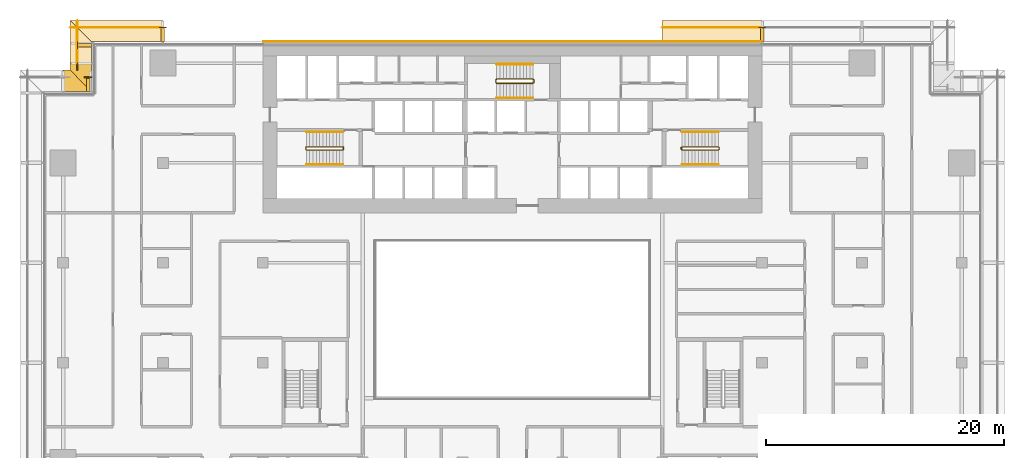
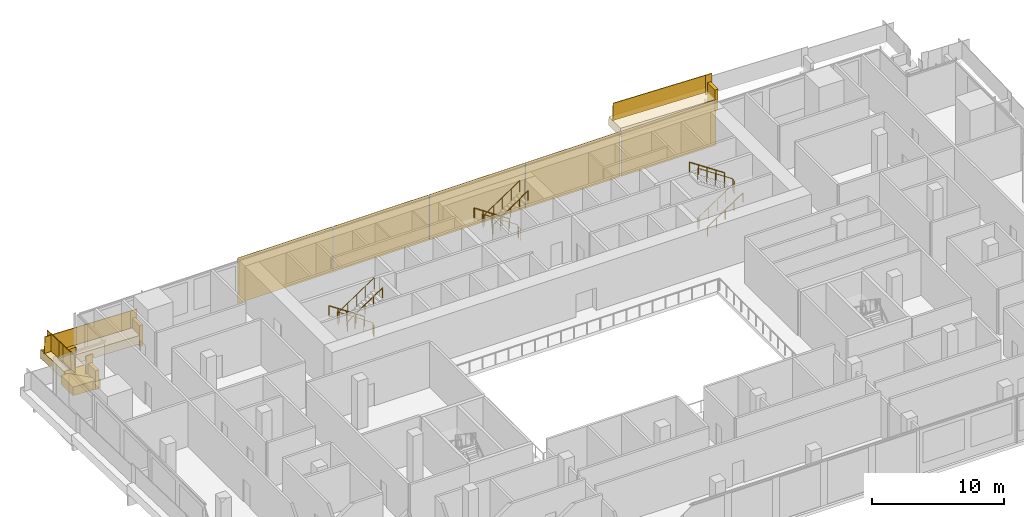
# One storey, part 22 of 23: 17 railings, 14 coverings.
"""IFC4 building model written with IfcOpenShell, lengths in metres."""

from ifc_helpers import new_model, si_unit, direction, frame, origin, origin_2d, place, context, subcontext, project, spatial, polyline, rectangle, circle, outline, extrude, material, layer, layer_set, type_object, element, save


model = new_model("IFC4")

# Units and contexts
model_context = context("Model", 3, precision=1e-05, world=origin(), true_north=direction((0.0, 1.0)))
body_context = subcontext(model_context, "Body", "Model", "MODEL_VIEW")
ifc_project = project(units=[si_unit("LENGTHUNIT", "METRE"), si_unit("AREAUNIT", "SQUARE_METRE"), si_unit("VOLUMEUNIT", "CUBIC_METRE"), si_unit("PLANEANGLEUNIT", "RADIAN"), si_unit("MASSUNIT", "GRAM", prefix="KILO")], contexts=[model_context])

# Site, building, storey
site_placement = place(None, origin())
site = spatial("IfcSite", under=ifc_project, at=site_placement, CompositionType="ELEMENT")
building_placement = place(site_placement, origin())
building = spatial("IfcBuilding", under=site, at=building_placement, Name="Saffron Gate Tower", CompositionType="ELEMENT")
storey_placement = place(building_placement, frame((0.0, 0.0, 23.699951171875)))
storey = spatial("IfcBuildingStorey", under=building, at=storey_placement, Name="L04", CompositionType="ELEMENT", Elevation=23.699951171875)

# Coverings
ifc_material_1 = material(Name="Ceramic-printed bronze insulated panel")
ifc_layer_1 = layer(ifc_material_1, 0.0400390625)
ifc_layer_set_1 = layer_set([ifc_layer_1], Name="CLD1 ceramic-printed cladding panel 40")
covering_type_1 = type_object("IfcCoveringType", Name="CLD1 ceramic-printed cladding panel 40", PredefinedType="CLADDING", material=ifc_layer_set_1)
covering_1_placement = place(storey_placement, origin())
element("IfcCovering", 1, at=covering_1_placement, inside=storey, type_object=covering_type_1, Name="CLADDING ceramic-printed panel", PredefinedType="CLADDING", context=body_context, shape_type="SweptSolid", body=[
    extrude(outline(polyline([(108.56005859375, 75.639892578125), (100.239990234375, 75.639892578125), (100.239990234375, 75.60009765625), (108.56005859375, 75.60009765625), (108.56005859375, 75.639892578125)])), origin(), (0.0, 0.0, 1.0), 4.199951171875),
])
covering_2_placement = place(storey_placement, origin())
element("IfcCovering", 2, at=covering_2_placement, inside=storey, type_object=covering_type_1, Name="CLADDING ceramic-printed panel", PredefinedType="CLADDING", context=body_context, shape_type="SweptSolid", body=[
    extrude(outline(polyline([(100.159912109375, 75.639892578125), (91.840087890625, 75.639892578125), (91.840087890625, 75.60009765625), (100.159912109375, 75.60009765625), (100.159912109375, 75.639892578125)])), origin(), (0.0, 0.0, 1.0), 4.199951171875),
])
covering_3_placement = place(storey_placement, origin())
element("IfcCovering", 3, at=covering_3_placement, inside=storey, type_object=covering_type_1, Name="CLADDING ceramic-printed panel", PredefinedType="CLADDING", context=body_context, shape_type="SweptSolid", body=[
    extrude(outline(polyline([(91.760009765625, 75.639892578125), (83.43994140625, 75.639892578125), (83.43994140625, 75.60009765625), (91.760009765625, 75.60009765625), (91.760009765625, 75.639892578125)])), origin(), (0.0, 0.0, 1.0), 4.199951171875),
])
covering_4_placement = place(storey_placement, origin())
element("IfcCovering", 4, at=covering_4_placement, inside=storey, type_object=covering_type_1, Name="CLADDING ceramic-printed panel", PredefinedType="CLADDING", context=body_context, shape_type="SweptSolid", body=[
    extrude(outline(polyline([(83.360107421875, 75.639892578125), (75.0400390625, 75.639892578125), (75.0400390625, 75.60009765625), (83.360107421875, 75.60009765625), (83.360107421875, 75.639892578125)])), origin(), (0.0, 0.0, 1.0), 4.199951171875),
])
covering_5_placement = place(storey_placement, origin())
element("IfcCovering", 5, at=covering_5_placement, inside=storey, type_object=covering_type_1, Name="CLADDING ceramic-printed panel", PredefinedType="CLADDING", context=body_context, shape_type="SweptSolid", body=[
    extrude(outline(polyline([(74.9599609375, 75.639892578125), (66.639892578125, 75.639892578125), (66.639892578125, 75.60009765625), (74.9599609375, 75.60009765625), (74.9599609375, 75.639892578125)])), origin(), (0.0, 0.0, 1.0), 4.199951171875),
])

# Railings
ifc_material_2 = material(Name="Stainless steel and laminated glass", Category="steel")
railing_type_1 = type_object("IfcRailingType", Name="CR1 Stair guard 1100", PredefinedType="GUARDRAIL", material=ifc_material_2)
railing_1_placement = place(storey_placement, frame((73.39990234375, 66.550048828125, 0.0)))
element("IfcRailing", 6, at=railing_1_placement, inside=storey, type_object=railing_type_1, Name="L04 ST-A stair guard 1", PredefinedType="GUARDRAIL", context=body_context, shape_type="SweptSolid", body=[
    extrude(circle(Radius=0.02392578125, at=origin_2d()), frame((0.0, 0.0, 1.076171875), z_axis=(0.0, 1.0, 0.0), x_axis=(-1.0, 0.0, 0.0)), (0.0, 0.0, 1.0), 0.14990234375),
    extrude(circle(Radius=0.02392578125, at=origin_2d()), frame((0.0, 0.14990234375, 1.076171875), z_axis=(-0.248583702486, 0.249802250048, 0.935844527007), x_axis=(-0.708833529934, -0.705375805398, 0.0)), (0.0, 0.0, 1.0), 0.200439453125),
    extrude(circle(Radius=0.02392578125, at=origin_2d()), frame((-0.0498046875, 0.199951171875, 1.263671875), z_axis=(-0.830913701846, 0.0, 0.55640131208), x_axis=(0.0, -1.0, 0.0)), (0.0, 0.0, 1.0), 3.706787109375),
    extrude(circle(Radius=0.02392578125, at=origin_2d()), frame((-3.1298828125, 0.199951171875, 3.326171875), z_axis=(-0.707106781187, -0.707106781187, 0.0), x_axis=(0.707106781187, -0.707106781187, 0.0)), (0.0, 0.0, 1.0), 0.07080078125),
    extrude(circle(Radius=0.02392578125, at=origin_2d()), frame((-3.179931640625, 0.14990234375, 3.326171875), z_axis=(0.0, -1.0, 0.0), x_axis=(1.0, 0.0, 0.0)), (0.0, 0.0, 1.0), 0.14990234375),
    extrude(circle(Radius=0.02392578125, at=origin_2d()), frame((-3.179931640625, 0.0, 3.326171875), z_axis=(0.249726431254, -0.249726431254, 0.935560483917), x_axis=(0.707106781187, 0.707106781187, 0.0)), (0.0, 0.0, 1.0), 0.200439453125),
    extrude(circle(Radius=0.02392578125, at=origin_2d()), frame((-3.1298828125, -0.050048828125, 3.513671875), z_axis=(0.830913701846, 0.0, 0.55640131208), x_axis=(0.0, 1.0, 0.0)), (0.0, 0.0, 1.0), 3.706787109375),
    extrude(circle(Radius=0.02099609375, at=origin_2d()), origin(), (0.0, 0.0, 1.0), 1.052001953125),
    extrude(circle(Radius=0.02099609375, at=origin_2d()), frame((0.0, 0.14990234375, 0.0)), (0.0, 0.0, 1.0), 1.052001953125),
    extrude(circle(Radius=0.02099609375, at=origin_2d()), frame((-0.0498046875, 0.199951171875, 0.1875)), (0.0, 0.0, 1.0), 1.052001953125),
    extrude(circle(Radius=0.02099609375, at=origin_2d()), frame((-0.81982421875, 0.199951171875, 0.703125)), (0.0, 0.0, 1.0), 1.052001953125),
    extrude(circle(Radius=0.02099609375, at=origin_2d()), frame((-1.58984375, 0.199951171875, 1.21875)), (0.0, 0.0, 1.0), 1.052001953125),
    extrude(circle(Radius=0.02099609375, at=origin_2d()), frame((-2.35986328125, 0.199951171875, 1.734375)), (0.0, 0.0, 1.0), 1.052001953125),
    extrude(circle(Radius=0.02099609375, at=origin_2d()), frame((-3.1298828125, 0.199951171875, 2.25)), (0.0, 0.0, 1.0), 1.052001953125),
    extrude(circle(Radius=0.02099609375, at=origin_2d()), frame((-3.179931640625, 0.14990234375, 2.25)), (0.0, 0.0, 1.0), 1.052001953125),
    extrude(circle(Radius=0.02099609375, at=origin_2d()), frame((-3.179931640625, 0.0, 2.25)), (0.0, 0.0, 1.0), 1.052001953125),
    extrude(circle(Radius=0.02099609375, at=origin_2d()), frame((-3.1298828125, -0.050048828125, 2.4375)), (0.0, 0.0, 1.0), 1.052001953125),
    extrude(circle(Radius=0.02099609375, at=origin_2d()), frame((-2.35986328125, -0.050048828125, 2.953125)), (0.0, 0.0, 1.0), 1.052001953125),
    extrude(circle(Radius=0.02099609375, at=origin_2d()), frame((-1.58984375, -0.050048828125, 3.46875)), (0.0, 0.0, 1.0), 1.052001953125),
    extrude(circle(Radius=0.02099609375, at=origin_2d()), frame((-0.81982421875, -0.050048828125, 3.984375)), (0.0, 0.0, 1.0), 1.052001953125),
    extrude(circle(Radius=0.02099609375, at=origin_2d()), frame((-0.0498046875, -0.050048828125, 4.5)), (0.0, 0.0, 1.0), 1.052001953125),
])
railing_2_placement = place(storey_placement, frame((101.800048828125, 66.699951171875, 0.0)))
element("IfcRailing", 7, at=railing_2_placement, inside=storey, type_object=railing_type_1, Name="L04 ST-B stair guard 1", PredefinedType="GUARDRAIL", context=body_context, shape_type="SweptSolid", body=[
    extrude(circle(Radius=0.02392578125, at=origin_2d()), frame((0.0, 0.0, 1.076171875), z_axis=(0.0, -1.0, 0.0), x_axis=(1.0, 0.0, 0.0)), (0.0, 0.0, 1.0), 0.14990234375),
    extrude(circle(Radius=0.02392578125, at=origin_2d()), frame((0.0, -0.14990234375, 1.076171875), z_axis=(0.249726431254, -0.249726431254, 0.935560483917), x_axis=(0.707106781187, 0.707106781187, 0.0)), (0.0, 0.0, 1.0), 0.200439453125),
    extrude(circle(Radius=0.02392578125, at=origin_2d()), frame((0.050048828125, -0.199951171875, 1.263671875), z_axis=(0.830893310487, 0.0, 0.556431762742), x_axis=(0.0, 1.0, 0.0)), (0.0, 0.0, 1.0), 3.70654296875),
    extrude(circle(Radius=0.02392578125, at=origin_2d()), frame((3.1298828125, -0.199951171875, 3.326171875), z_axis=(0.707106781187, 0.707106781187, 0.0), x_axis=(-0.707106781187, 0.707106781187, 0.0)), (0.0, 0.0, 1.0), 0.07080078125),
    extrude(circle(Radius=0.02392578125, at=origin_2d()), frame((3.179931640625, -0.14990234375, 3.326171875), z_axis=(0.0, 1.0, 0.0), x_axis=(-1.0, 0.0, 0.0)), (0.0, 0.0, 1.0), 0.14990234375),
    extrude(circle(Radius=0.02392578125, at=origin_2d()), frame((3.179931640625, 0.0, 3.326171875), z_axis=(-0.249726431254, 0.249726431254, 0.935560483917), x_axis=(-0.707106781187, -0.707106781187, 0.0)), (0.0, 0.0, 1.0), 0.200439453125),
    extrude(circle(Radius=0.02392578125, at=origin_2d()), frame((3.1298828125, 0.050048828125, 3.513671875), z_axis=(-0.830893310487, 0.0, 0.556431762742), x_axis=(0.0, -1.0, 0.0)), (0.0, 0.0, 1.0), 3.70654296875),
    extrude(circle(Radius=0.02099609375, at=origin_2d()), origin(), (0.0, 0.0, 1.0), 1.052001953125),
    extrude(circle(Radius=0.02099609375, at=origin_2d()), frame((0.0, -0.14990234375, 0.0)), (0.0, 0.0, 1.0), 1.052001953125),
    extrude(circle(Radius=0.02099609375, at=origin_2d()), frame((0.050048828125, -0.199951171875, 0.1875)), (0.0, 0.0, 1.0), 1.052001953125),
    extrude(circle(Radius=0.02099609375, at=origin_2d()), frame((0.820068359375, -0.199951171875, 0.703125)), (0.0, 0.0, 1.0), 1.052001953125),
    extrude(circle(Radius=0.02099609375, at=origin_2d()), frame((1.58984375, -0.199951171875, 1.21875)), (0.0, 0.0, 1.0), 1.052001953125),
    extrude(circle(Radius=0.02099609375, at=origin_2d()), frame((2.35986328125, -0.199951171875, 1.734375)), (0.0, 0.0, 1.0), 1.052001953125),
    extrude(circle(Radius=0.02099609375, at=origin_2d()), frame((3.1298828125, -0.199951171875, 2.25)), (0.0, 0.0, 1.0), 1.052001953125),
    extrude(circle(Radius=0.02099609375, at=origin_2d()), frame((3.179931640625, -0.14990234375, 2.25)), (0.0, 0.0, 1.0), 1.052001953125),
    extrude(circle(Radius=0.02099609375, at=origin_2d()), frame((3.179931640625, 0.0, 2.25)), (0.0, 0.0, 1.0), 1.052001953125),
    extrude(circle(Radius=0.02099609375, at=origin_2d()), frame((3.1298828125, 0.050048828125, 2.4375)), (0.0, 0.0, 1.0), 1.052001953125),
    extrude(circle(Radius=0.02099609375, at=origin_2d()), frame((2.35986328125, 0.050048828125, 2.953125)), (0.0, 0.0, 1.0), 1.052001953125),
    extrude(circle(Radius=0.02099609375, at=origin_2d()), frame((1.58984375, 0.050048828125, 3.46875)), (0.0, 0.0, 1.0), 1.052001953125),
    extrude(circle(Radius=0.02099609375, at=origin_2d()), frame((0.820068359375, 0.050048828125, 3.984375)), (0.0, 0.0, 1.0), 1.052001953125),
    extrude(circle(Radius=0.02099609375, at=origin_2d()), frame((0.050048828125, 0.050048828125, 4.5)), (0.0, 0.0, 1.0), 1.052001953125),
])
railing_3_placement = place(storey_placement, frame((89.39990234375, 72.14990234375, 0.0)))
element("IfcRailing", 8, at=railing_3_placement, inside=storey, type_object=railing_type_1, Name="L04 ST-C stair guard 1", PredefinedType="GUARDRAIL", context=body_context, shape_type="SweptSolid", body=[
    extrude(circle(Radius=0.02392578125, at=origin_2d()), frame((0.0, 0.0, 1.076171875), z_axis=(0.0, 1.0, 0.0), x_axis=(-1.0, 0.0, 0.0)), (0.0, 0.0, 1.0), 0.25),
    extrude(circle(Radius=0.02392578125, at=origin_2d()), frame((0.0, 0.25, 1.076171875), z_axis=(-0.248583702486, 0.249802250048, 0.935844527007), x_axis=(-0.708833529934, -0.705375805398, 0.0)), (0.0, 0.0, 1.0), 0.200439453125),
    extrude(circle(Radius=0.02392578125, at=origin_2d()), frame((-0.0498046875, 0.300048828125, 1.263671875), z_axis=(-0.830913701846, 0.0, 0.55640131208), x_axis=(0.0, -1.0, 0.0)), (0.0, 0.0, 1.0), 3.706787109375),
    extrude(circle(Radius=0.02392578125, at=origin_2d()), frame((-3.1298828125, 0.300048828125, 3.326171875), z_axis=(-0.707106781187, -0.707106781187, 0.0), x_axis=(0.707106781187, -0.707106781187, 0.0)), (0.0, 0.0, 1.0), 0.07080078125),
    extrude(circle(Radius=0.02392578125, at=origin_2d()), frame((-3.179931640625, 0.25, 3.326171875), z_axis=(0.0, -1.0, 0.0), x_axis=(1.0, 0.0, 0.0)), (0.0, 0.0, 1.0), 0.25),
    extrude(circle(Radius=0.02392578125, at=origin_2d()), frame((-3.179931640625, 0.0, 3.326171875), z_axis=(0.249802250048, -0.248583702486, 0.935844527007), x_axis=(0.705375805398, 0.708833529934, 0.0)), (0.0, 0.0, 1.0), 0.200439453125),
    extrude(circle(Radius=0.02392578125, at=origin_2d()), frame((-3.1298828125, -0.0498046875, 3.513671875), z_axis=(0.830913701846, 0.0, 0.55640131208), x_axis=(0.0, 1.0, 0.0)), (0.0, 0.0, 1.0), 3.706787109375),
    extrude(circle(Radius=0.02099609375, at=origin_2d()), origin(), (0.0, 0.0, 1.0), 1.052001953125),
    extrude(circle(Radius=0.02099609375, at=origin_2d()), frame((0.0, 0.25, 0.0)), (0.0, 0.0, 1.0), 1.052001953125),
    extrude(circle(Radius=0.02099609375, at=origin_2d()), frame((-0.0498046875, 0.300048828125, 0.1875)), (0.0, 0.0, 1.0), 1.052001953125),
    extrude(circle(Radius=0.02099609375, at=origin_2d()), frame((-0.81982421875, 0.300048828125, 0.703125)), (0.0, 0.0, 1.0), 1.052001953125),
    extrude(circle(Radius=0.02099609375, at=origin_2d()), frame((-1.58984375, 0.300048828125, 1.21875)), (0.0, 0.0, 1.0), 1.052001953125),
    extrude(circle(Radius=0.02099609375, at=origin_2d()), frame((-2.35986328125, 0.300048828125, 1.734375)), (0.0, 0.0, 1.0), 1.052001953125),
    extrude(circle(Radius=0.02099609375, at=origin_2d()), frame((-3.1298828125, 0.300048828125, 2.25)), (0.0, 0.0, 1.0), 1.052001953125),
    extrude(circle(Radius=0.02099609375, at=origin_2d()), frame((-3.179931640625, 0.25, 2.25)), (0.0, 0.0, 1.0), 1.052001953125),
    extrude(circle(Radius=0.02099609375, at=origin_2d()), frame((-3.179931640625, 0.0, 2.25)), (0.0, 0.0, 1.0), 1.052001953125),
    extrude(circle(Radius=0.02099609375, at=origin_2d()), frame((-3.1298828125, -0.0498046875, 2.4375)), (0.0, 0.0, 1.0), 1.052001953125),
    extrude(circle(Radius=0.02099609375, at=origin_2d()), frame((-2.35986328125, -0.0498046875, 2.953125)), (0.0, 0.0, 1.0), 1.052001953125),
    extrude(circle(Radius=0.02099609375, at=origin_2d()), frame((-1.58984375, -0.0498046875, 3.46875)), (0.0, 0.0, 1.0), 1.052001953125),
    extrude(circle(Radius=0.02099609375, at=origin_2d()), frame((-0.81982421875, -0.0498046875, 3.984375)), (0.0, 0.0, 1.0), 1.052001953125),
    extrude(circle(Radius=0.02099609375, at=origin_2d()), frame((-0.0498046875, -0.0498046875, 4.5)), (0.0, 0.0, 1.0), 1.052001953125),
])
ifc_material_3 = material(Name="Stainless steel", Category="steel")
railing_type_2 = type_object("IfcRailingType", Name="CR2 Stair handrail 900", PredefinedType="HANDRAIL", material=ifc_material_3)
railing_4_placement = place(storey_placement, frame((73.35009765625, 68.0, 0.1875)))
element("IfcRailing", 9, at=railing_4_placement, inside=storey, type_object=railing_type_2, Name="L04 ST-A stair handrail 1", PredefinedType="HANDRAIL", context=body_context, shape_type="SweptSolid", body=[
    extrude(circle(Radius=0.02392578125, at=origin_2d()), frame((0.0, 0.0, 0.8759765625), z_axis=(-0.830913701846, 0.0, 0.55640131208), x_axis=(0.0, -1.0, 0.0)), (0.0, 0.0, 1.0), 3.706787109375),
    extrude(circle(Radius=0.02099609375, at=origin_2d()), origin(), (0.0, 0.0, 1.0), 0.851806640625),
    extrude(circle(Radius=0.02099609375, at=origin_2d()), frame((-0.77001953125, 0.0, 0.515625)), (0.0, 0.0, 1.0), 0.851806640625),
    extrude(circle(Radius=0.02099609375, at=origin_2d()), frame((-1.5400390625, 0.0, 1.03125)), (0.0, 0.0, 1.0), 0.851806640625),
    extrude(circle(Radius=0.02099609375, at=origin_2d()), frame((-2.31005859375, 0.0, 1.546875)), (0.0, 0.0, 1.0), 0.851806640625),
    extrude(circle(Radius=0.02099609375, at=origin_2d()), frame((-3.080078125, 0.0, 2.0625)), (0.0, 0.0, 1.0), 0.851806640625),
])
railing_5_placement = place(storey_placement, frame((70.27001953125, 65.25, 2.4375)))
element("IfcRailing", 10, at=railing_5_placement, inside=storey, type_object=railing_type_2, Name="L04 ST-A stair handrail 2", PredefinedType="HANDRAIL", context=body_context, shape_type="SweptSolid", body=[
    extrude(circle(Radius=0.02392578125, at=origin_2d()), frame((0.0, 0.0, 0.8759765625), z_axis=(0.830913701846, 0.0, 0.55640131208), x_axis=(0.0, 1.0, 0.0)), (0.0, 0.0, 1.0), 3.706787109375),
    extrude(circle(Radius=0.02099609375, at=origin_2d()), origin(), (0.0, 0.0, 1.0), 0.851806640625),
    extrude(circle(Radius=0.02099609375, at=origin_2d()), frame((0.77001953125, 0.0, 0.515625)), (0.0, 0.0, 1.0), 0.851806640625),
    extrude(circle(Radius=0.02099609375, at=origin_2d()), frame((1.5400390625, 0.0, 1.03125)), (0.0, 0.0, 1.0), 0.851806640625),
    extrude(circle(Radius=0.02099609375, at=origin_2d()), frame((2.31005859375, 0.0, 1.546875)), (0.0, 0.0, 1.0), 0.851806640625),
    extrude(circle(Radius=0.02099609375, at=origin_2d()), frame((3.080078125, 0.0, 2.0625)), (0.0, 0.0, 1.0), 0.851806640625),
])
railing_6_placement = place(storey_placement, frame((101.85009765625, 65.25, 0.1875)))
element("IfcRailing", 11, at=railing_6_placement, inside=storey, type_object=railing_type_2, Name="L04 ST-B stair handrail 1", PredefinedType="HANDRAIL", context=body_context, shape_type="SweptSolid", body=[
    extrude(circle(Radius=0.02392578125, at=origin_2d()), frame((0.0, 0.0, 0.8759765625), z_axis=(0.830893310487, 0.0, 0.556431762742), x_axis=(0.0, 1.0, 0.0)), (0.0, 0.0, 1.0), 3.70654296875),
    extrude(circle(Radius=0.02099609375, at=origin_2d()), origin(), (0.0, 0.0, 1.0), 0.851806640625),
    extrude(circle(Radius=0.02099609375, at=origin_2d()), frame((0.77001953125, 0.0, 0.515625)), (0.0, 0.0, 1.0), 0.851806640625),
    extrude(circle(Radius=0.02099609375, at=origin_2d()), frame((1.5400390625, 0.0, 1.03125)), (0.0, 0.0, 1.0), 0.851806640625),
    extrude(circle(Radius=0.02099609375, at=origin_2d()), frame((2.309814453125, 0.0, 1.546875)), (0.0, 0.0, 1.0), 0.851806640625),
    extrude(circle(Radius=0.02099609375, at=origin_2d()), frame((3.079833984375, 0.0, 2.0625)), (0.0, 0.0, 1.0), 0.851806640625),
])
railing_7_placement = place(storey_placement, frame((104.929931640625, 68.0, 2.4375)))
element("IfcRailing", 12, at=railing_7_placement, inside=storey, type_object=railing_type_2, Name="L04 ST-B stair handrail 2", PredefinedType="HANDRAIL", context=body_context, shape_type="SweptSolid", body=[
    extrude(circle(Radius=0.02392578125, at=origin_2d()), frame((0.0, 0.0, 0.8759765625), z_axis=(-0.830893310487, 0.0, 0.556431762742), x_axis=(0.0, -1.0, 0.0)), (0.0, 0.0, 1.0), 3.70654296875),
    extrude(circle(Radius=0.02099609375, at=origin_2d()), origin(), (0.0, 0.0, 1.0), 0.851806640625),
    extrude(circle(Radius=0.02099609375, at=origin_2d()), frame((-0.77001953125, 0.0, 0.515625)), (0.0, 0.0, 1.0), 0.851806640625),
    extrude(circle(Radius=0.02099609375, at=origin_2d()), frame((-1.5400390625, 0.0, 1.03125)), (0.0, 0.0, 1.0), 0.851806640625),
    extrude(circle(Radius=0.02099609375, at=origin_2d()), frame((-2.309814453125, 0.0, 1.546875)), (0.0, 0.0, 1.0), 0.851806640625),
    extrude(circle(Radius=0.02099609375, at=origin_2d()), frame((-3.079833984375, 0.0, 2.0625)), (0.0, 0.0, 1.0), 0.851806640625),
])
railing_8_placement = place(storey_placement, frame((89.35009765625, 73.699951171875, 0.1875)))
element("IfcRailing", 13, at=railing_8_placement, inside=storey, type_object=railing_type_2, Name="L04 ST-C stair handrail 1", PredefinedType="HANDRAIL", context=body_context, shape_type="SweptSolid", body=[
    extrude(circle(Radius=0.02392578125, at=origin_2d()), frame((0.0, 0.0, 0.8759765625), z_axis=(-0.830913701846, 0.0, 0.55640131208), x_axis=(0.0, -1.0, 0.0)), (0.0, 0.0, 1.0), 3.706787109375),
    extrude(circle(Radius=0.02099609375, at=origin_2d()), origin(), (0.0, 0.0, 1.0), 0.851806640625),
    extrude(circle(Radius=0.02099609375, at=origin_2d()), frame((-0.77001953125, 0.0, 0.515625)), (0.0, 0.0, 1.0), 0.851806640625),
    extrude(circle(Radius=0.02099609375, at=origin_2d()), frame((-1.5400390625, 0.0, 1.03125)), (0.0, 0.0, 1.0), 0.851806640625),
    extrude(circle(Radius=0.02099609375, at=origin_2d()), frame((-2.31005859375, 0.0, 1.546875)), (0.0, 0.0, 1.0), 0.851806640625),
    extrude(circle(Radius=0.02099609375, at=origin_2d()), frame((-3.080078125, 0.0, 2.0625)), (0.0, 0.0, 1.0), 0.851806640625),
])
railing_9_placement = place(storey_placement, frame((86.27001953125, 70.85009765625, 2.4375)))
element("IfcRailing", 14, at=railing_9_placement, inside=storey, type_object=railing_type_2, Name="L04 ST-C stair handrail 2", PredefinedType="HANDRAIL", context=body_context, shape_type="SweptSolid", body=[
    extrude(circle(Radius=0.02392578125, at=origin_2d()), frame((0.0, 0.0, 0.8759765625), z_axis=(0.830913701846, 0.0, 0.55640131208), x_axis=(0.0, 1.0, 0.0)), (0.0, 0.0, 1.0), 3.706787109375),
    extrude(circle(Radius=0.02099609375, at=origin_2d()), origin(), (0.0, 0.0, 1.0), 0.851806640625),
    extrude(circle(Radius=0.02099609375, at=origin_2d()), frame((0.77001953125, 0.0, 0.515625)), (0.0, 0.0, 1.0), 0.851806640625),
    extrude(circle(Radius=0.02099609375, at=origin_2d()), frame((1.5400390625, 0.0, 1.03125)), (0.0, 0.0, 1.0), 0.851806640625),
    extrude(circle(Radius=0.02099609375, at=origin_2d()), frame((2.31005859375, 0.0, 1.546875)), (0.0, 0.0, 1.0), 0.851806640625),
    extrude(circle(Radius=0.02099609375, at=origin_2d()), frame((3.080078125, 0.0, 2.0625)), (0.0, 0.0, 1.0), 0.851806640625),
])

# Coverings
ifc_material_4 = material(Name="Timber, thermally modified ash", Category="wood")
ifc_layer_2 = layer(ifc_material_4, 0.800048828125)
ifc_layer_set_2 = layer_set([ifc_layer_2], Name="LD1 ledge timber")
covering_type_2 = type_object("IfcCoveringType", Name="LD1 ledge timber", PredefinedType="CLADDING", material=ifc_layer_set_2)
covering_6_placement = place(storey_placement, frame((108.60009765625, 75.60009765625, 4.239990234375), z_axis=(0.028819366951, 0.0, 0.999584635781), x_axis=(-0.999584635781, 0.0, 0.028819366951)))
element("IfcCovering", 15, at=covering_6_placement, inside=storey, type_object=covering_type_2, Name="LEDGE", PredefinedType="CLADDING", context=body_context, shape_type="SweptSolid", body=[
    extrude(outline(polyline([(0.0, 0.0), (8.403637054520734, 0.0), (8.403637054520734, -1.7998046874999998), (0.0, -1.7998046874999998), (0.0, 0.0)])), origin(), (0.0, 0.0, -1.0), 0.800048828125),
])
covering_7_placement = place(storey_placement, frame((58.199951171875, 75.60009765625, 0.0498046875), z_axis=(0.028789477025, 2.3920834e-05, 0.999585496814), x_axis=(-0.9995854971, -1.72e-10, 0.028789477033)))
element("IfcCovering", 16, at=covering_7_placement, inside=storey, type_object=covering_type_2, Name="LEDGE", PredefinedType="CLADDING", context=body_context, shape_type="SweptSolid", body=[
    extrude(outline(polyline([(0.0, 0.0), (6.002489288687248, 8.470329472543003e-22), (7.80328207139786, -1.7998046893537554), (-3.087962377470193e-10, -1.7998046869850703), (0.0, 0.0)])), origin(), (0.0, 0.0, -1.0), 0.800048828125),
])
covering_8_placement = place(storey_placement, frame((52.199951171875, 75.60009765625, 0.3876953125), z_axis=(-4.6492774e-05, 0.028788135707, 0.99958553465), x_axis=(-2.161e-09, -0.99958553573, 0.028788135738)))
element("IfcCovering", 17, at=covering_8_placement, inside=storey, type_object=covering_type_2, Name="LEDGE", PredefinedType="CLADDING", context=body_context, shape_type="SweptSolid", body=[
    extrude(outline(polyline([(0.0, 0.0), (1.8007927831333284, 4.235164736271502e-22), (1.800792787022667, -1.8000488261795269), (-1.8005557681600073, -1.8000488378518529), (0.0, 0.0)])), origin(), (0.0, 0.0, -1.0), 0.800048828125),
])
covering_9_placement = place(storey_placement, frame((52.199951171875, 73.800048828125, 0.489013671875), z_axis=(2.6333678e-05, 0.028794305201, 0.999585357683), x_axis=(5.2e-10, -0.99958535803, 0.028794305211)))
element("IfcCovering", 18, at=covering_9_placement, inside=storey, type_object=covering_type_2, Name="LEDGE", PredefinedType="CLADDING", context=body_context, shape_type="SweptSolid", body=[
    extrude(outline(polyline([(0.0, 0.0), (2.401140733194568, 0.0), (0.6003479496762917, -1.8000488290612322), (-9.357805408281585e-10, -1.8000488275008664), (0.0, 0.0)])), origin(), (0.0, 0.0, -1.0), 0.800048828125),
])
covering_10_placement = place(storey_placement, frame((52.199951171875, 71.39990234375, 0.624267578125), z_axis=(0.028798988267, 2.8677152e-05, 0.999585222706), x_axis=(-0.999585223117, 6.17e-10, 0.028798988279)))
element("IfcCovering", 19, at=covering_10_placement, inside=storey, type_object=covering_type_2, Name="LEDGE", PredefinedType="CLADDING", context=body_context, shape_type="SweptSolid", body=[
    extrude(outline(polyline([(0.0, 0.0), (2.400896693585025, -4.235164736271502e-22), (2.400896694694882, -1.8000488273848385), (1.8007927832284332, -1.8000488292351673), (0.0, 0.0)])), origin(), (0.0, 0.0, -1.0), 0.800048828125),
])
ifc_layer_3 = layer(ifc_material_4, 0.300048828125)
ifc_layer_set_3 = layer_set([ifc_layer_3], Name="LD3 ledge riser fin")
covering_type_3 = type_object("IfcCoveringType", Name="LD3 ledge riser fin", PredefinedType="CLADDING", material=ifc_layer_set_3)
for number, where, z_axis, x_axis, name in (
    (20, (108.60009765625, 76.159912109375, 3.208984375), (0.0, 0.0, 1.0), (-1.0, 0.0, 0.0), "LEDGE riser fin"),
    (21, (58.199951171875, 76.159912109375, -0.9814453125), (0.0, 0.0, 1.0), (-1.0, 0.0, 0.0), "LEDGE riser fin"),
):
    element("IfcCovering", number, at=place(storey_placement, frame(where, z_axis=z_axis, x_axis=x_axis)), inside=storey, type_object=covering_type_3, Name=name, PredefinedType="CLADDING", context=body_context, shape_type="SweptSolid", body=[
        extrude(rectangle(XDim=0.300048828125, YDim=1.1201171875, at=origin_2d()), origin(), (0.0, 0.0, 1.0), 1.93115234375),
    ])
covering_11_placement = place(storey_placement, frame((51.639892578125, 75.300048828125, -0.5771484375), z_axis=(0.0, 0.0, 1.0), x_axis=(0.0, -1.0, 0.0)))
element("IfcCovering", 22, at=covering_11_placement, inside=storey, type_object=covering_type_3, Name="LEDGE riser fin", PredefinedType="CLADDING", context=body_context, shape_type="SweptSolid", body=[
    extrude(rectangle(XDim=0.300048828125, YDim=1.1201171875, at=origin_2d()), origin(), (0.0, 0.0, 1.0), 1.864990234375),
])
covering_12_placement = place(storey_placement, frame((51.89990234375, 71.9599609375, -0.241943359375), z_axis=(0.0, 0.0, 1.0), x_axis=(-1.0, 0.0, 0.0)))
element("IfcCovering", 23, at=covering_12_placement, inside=storey, type_object=covering_type_3, Name="LEDGE riser fin", PredefinedType="CLADDING", context=body_context, shape_type="SweptSolid", body=[
    extrude(rectangle(XDim=0.300048828125, YDim=1.1201171875, at=origin_2d()), origin(), (0.0, 0.0, 1.0), 1.76611328125),
])

# Railings
railing_type_3 = type_object("IfcRailingType", Name="LG1 ledge balustrade", PredefinedType="BALUSTRADE", material=ifc_material_4)
railing_10_placement = place(storey_placement, frame((108.60009765625, 76.800048828125, 4.239990234375)))
element("IfcRailing", 24, at=railing_10_placement, inside=storey, type_object=railing_type_3, Name="LEDGE BALUSTRADE", PredefinedType="BALUSTRADE", context=body_context, shape_type="SweptSolid", body=[
    extrude(rectangle(XDim=0.06005859375, YDim=1.60009765625, at=origin_2d()), frame((0.0, 0.0, 0.800048828125), z_axis=(-0.999584635781, 0.0, 0.028819366951), x_axis=(0.0, -1.0, 0.0)), (0.0, 0.0, 1.0), 8.403564453125),
])
railing_11_placement = place(storey_placement, frame((108.89990234375, 76.800048828125, 4.009033203125)))
element("IfcRailing", 25, at=railing_11_placement, inside=storey, type_object=railing_type_3, Name="LEDGE BALUSTRADE", PredefinedType="BALUSTRADE", context=body_context, shape_type="SweptSolid", body=[
    extrude(rectangle(XDim=0.06005859375, YDim=1.8310546875, at=origin_2d()), frame((0.0, 0.0, 0.91552734375), z_axis=(-1.0, 0.0, 0.0), x_axis=(0.0, -1.0, 0.0)), (0.0, 0.0, 1.0), 0.599853515625),
])
railing_12_placement = place(storey_placement, frame((58.199951171875, 76.800048828125, 0.0498046875)))
element("IfcRailing", 26, at=railing_12_placement, inside=storey, type_object=railing_type_3, Name="LEDGE BALUSTRADE", PredefinedType="BALUSTRADE", context=body_context, shape_type="SweptSolid", body=[
    extrude(rectangle(XDim=0.06005859375, YDim=1.60009765625, at=origin_2d()), frame((0.0, 0.0, 0.800048828125), z_axis=(-0.999585655924, 0.0, 0.028783962047), x_axis=(0.0, -1.0, 0.0)), (0.0, 0.0, 1.0), 7.80322265625),
])
railing_13_placement = place(storey_placement, frame((58.5, 76.800048828125, -0.181396484375)))
element("IfcRailing", 27, at=railing_13_placement, inside=storey, type_object=railing_type_3, Name="LEDGE BALUSTRADE", PredefinedType="BALUSTRADE", context=body_context, shape_type="SweptSolid", body=[
    extrude(rectangle(XDim=0.06005859375, YDim=1.8310546875, at=origin_2d()), frame((0.0, 0.0, 0.91552734375), z_axis=(-1.0, 0.0, 0.0), x_axis=(0.0, -1.0, 0.0)), (0.0, 0.0, 1.0), 0.60009765625),
])
railing_14_placement = place(storey_placement, frame((51.0, 77.39990234375, 0.335693359375)))
element("IfcRailing", 28, at=railing_14_placement, inside=storey, type_object=railing_type_3, Name="LEDGE BALUSTRADE", PredefinedType="BALUSTRADE", context=body_context, shape_type="SweptSolid", body=[
    extrude(rectangle(XDim=0.06005859375, YDim=1.60009765625, at=origin_2d()), frame((0.0, 0.0, 0.800048828125), z_axis=(0.0, -0.999584866472, 0.028811364412), x_axis=(1.0, 0.0, 0.0)), (0.0, 0.0, 1.0), 3.601318359375),
])
railing_15_placement = place(storey_placement, frame((51.0, 75.60009765625, 0.22265625)))
element("IfcRailing", 29, at=railing_15_placement, inside=storey, type_object=railing_type_3, Name="LEDGE BALUSTRADE", PredefinedType="BALUSTRADE", context=body_context, shape_type="SweptSolid", body=[
    extrude(rectangle(XDim=0.06005859375, YDim=1.76513671875, at=origin_2d()), frame((0.0, 0.0, 0.882568359375), z_axis=(0.0, -1.0, 0.0), x_axis=(1.0, 0.0, 0.0)), (0.0, 0.0, 1.0), 0.60009765625),
])
railing_16_placement = place(storey_placement, frame((51.0, 73.800048828125, 0.489013671875)))
element("IfcRailing", 30, at=railing_16_placement, inside=storey, type_object=railing_type_3, Name="LEDGE BALUSTRADE", PredefinedType="BALUSTRADE", context=body_context, shape_type="SweptSolid", body=[
    extrude(rectangle(XDim=0.06005859375, YDim=1.60009765625, at=origin_2d()), frame((0.0, 0.0, 0.800048828125), z_axis=(0.0, -0.999583081391, 0.028873229772), x_axis=(1.0, 0.0, 0.0)), (0.0, 0.0, 1.0), 0.600341796875),
])
railing_17_placement = place(storey_placement, frame((52.199951171875, 72.60009765625, 0.55810546875)))
element("IfcRailing", 31, at=railing_17_placement, inside=storey, type_object=railing_type_3, Name="LEDGE BALUSTRADE", PredefinedType="BALUSTRADE", context=body_context, shape_type="SweptSolid", body=[
    extrude(rectangle(XDim=0.06005859375, YDim=1.666015625, at=origin_2d()), frame((0.0, 0.0, 0.8330078125), z_axis=(-1.0, 0.0, 0.0), x_axis=(0.0, -1.0, 0.0)), (0.0, 0.0, 1.0), 0.599853515625),
])

save(model, "model.ifc")
